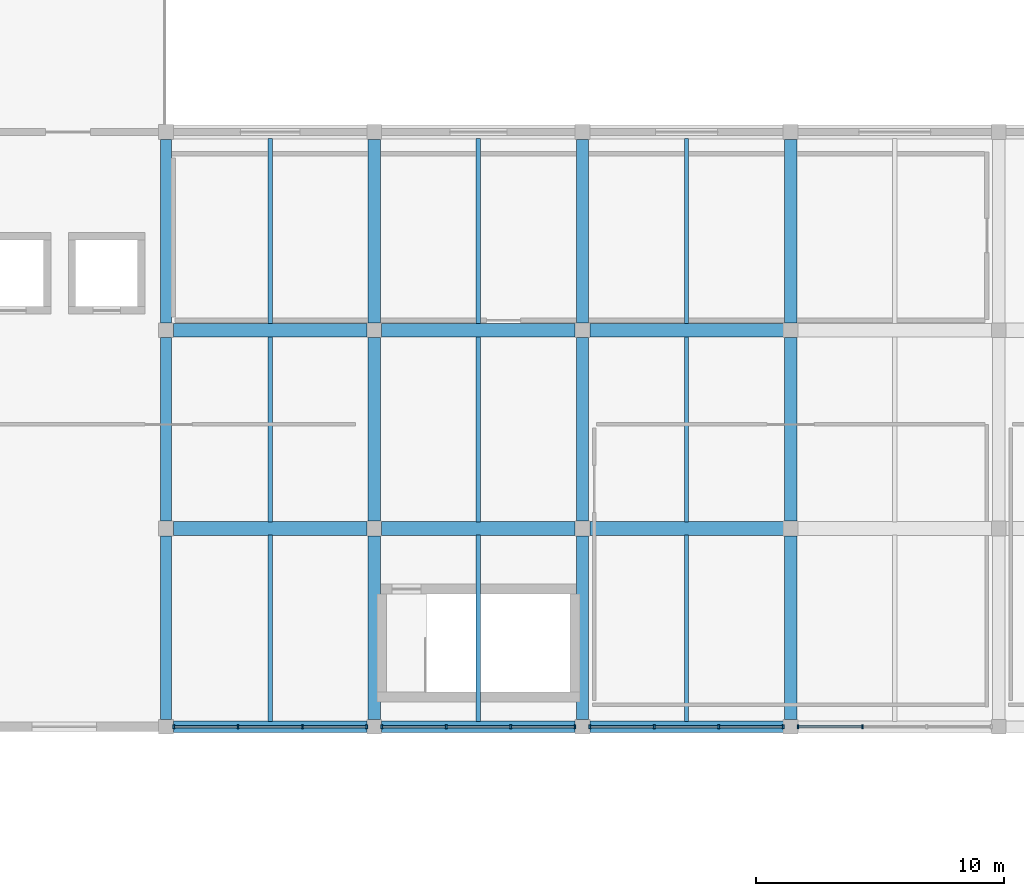
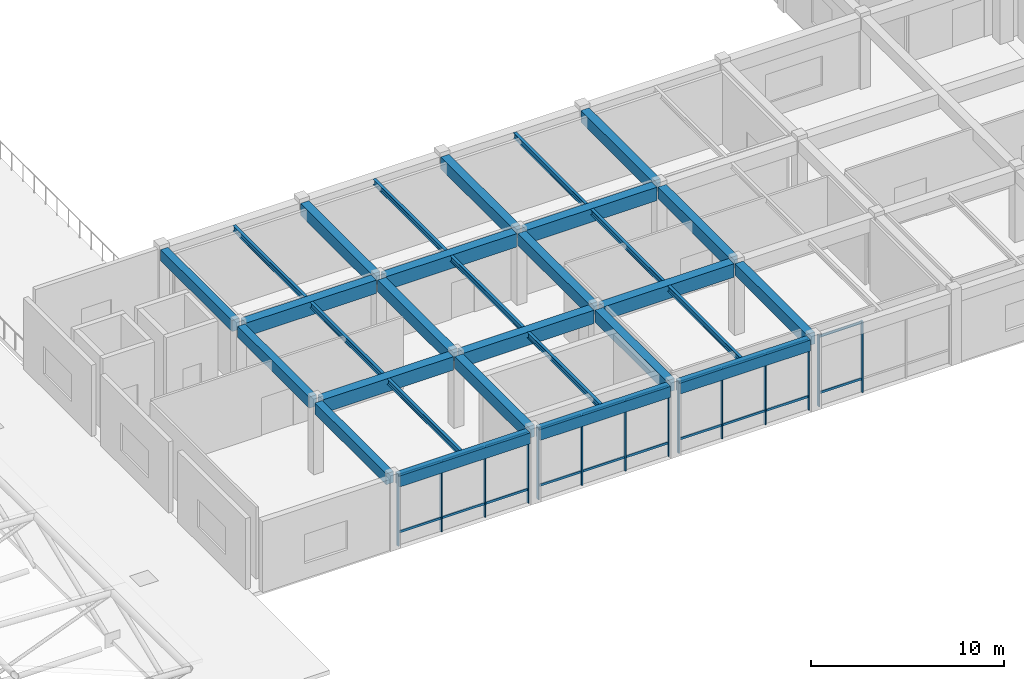
# One storey, part 10 of 37: 34 members, 30 beams, 4 elements without a shape of their own.
"""IFC4 building model written with IfcOpenShell, lengths in metres."""

from ifc_helpers import new_model, si_unit, direction, frame, origin, origin_2d, place, context, subcontext, project, spatial, rectangle, i_section, extrude, material, layer, layer_set, material_profile, profile_set, type_object, element, aggregate, save


model = new_model("IFC4")

# Units and contexts
model_context = context("Model", 3, precision=1e-05, world=origin(), true_north=direction((0.0, 1.0)))
body_context = subcontext(model_context, "Body", "Model", "MODEL_VIEW")
ifc_project = project(units=[si_unit("LENGTHUNIT", "METRE"), si_unit("AREAUNIT", "SQUARE_METRE"), si_unit("VOLUMEUNIT", "CUBIC_METRE"), si_unit("PLANEANGLEUNIT", "RADIAN"), si_unit("MASSUNIT", "GRAM", prefix="KILO")], contexts=[model_context])

# Site, building, storey
site_placement = place(None, origin())
site = spatial("IfcSite", under=ifc_project, at=site_placement, CompositionType="ELEMENT")
building_placement = place(site_placement, origin())
building = spatial("IfcBuilding", under=site, at=building_placement, Name="Naruveol Harbour Congress Hotel", CompositionType="ELEMENT")
storey_placement = place(building_placement, frame((0.0, 0.0, 16.199951171875)))
storey = spatial("IfcBuildingStorey", under=building, at=storey_placement, Name="L03", CompositionType="ELEMENT", Elevation=16.199951171875)

# Beams
ifc_material_1 = material(Name="Concrete C40/50", Category="concrete")
ifc_material_profile_1 = material_profile(ifc_material_1, rectangle(XDim=0.5, YDim=0.75, at=origin_2d()), Name="RCB-500x750")
ifc_profile_set_1 = profile_set([ifc_material_profile_1], Name="Concrete C40/50")
beam_type_1 = type_object("IfcBeamType", Name="RC FLOOR GIRDER 500X750", PredefinedType="BEAM", material=ifc_profile_set_1)
for number, where, z_axis, x_axis, name in (
    (1, (75.60009765625, 8.2958984375, 4.1650390625), (0.0, 1.0, 0.0), (-1.0, 0.0, 0.0), "Transverse girder L04 CB3"),
    (2, (75.60009765625, 16.2958984375, 4.1650390625), (0.0, 1.0, 0.0), (-1.0, 0.0, 0.0), "Transverse girder L04 CB3"),
    (3, (75.60009765625, 24.2958984375, 4.1650390625), (0.0, 1.0, 0.0), (-1.0, 0.0, 0.0), "Transverse girder L04 CB3"),
    (4, (84.0, 8.2958984375, 4.1650390625), (0.0, 1.0, 0.0), (-1.0, 0.0, 0.0), "Transverse girder L04 CB3"),
    (5, (84.0, 16.2958984375, 4.1650390625), (0.0, 1.0, 0.0), (-1.0, 0.0, 0.0), "Transverse girder L04 CB3"),
    (6, (84.0, 24.2958984375, 4.1650390625), (0.0, 1.0, 0.0), (-1.0, 0.0, 0.0), "Transverse girder L04 CB3"),
    (7, (92.39990234375, 8.2958984375, 4.1650390625), (0.0, 1.0, 0.0), (-1.0, 0.0, 0.0), "Transverse girder L04 CB3"),
    (8, (92.39990234375, 16.2958984375, 4.1650390625), (0.0, 1.0, 0.0), (-1.0, 0.0, 0.0), "Transverse girder L04 CB3"),
    (9, (92.39990234375, 24.2958984375, 4.1650390625), (0.0, 1.0, 0.0), (-1.0, 0.0, 0.0), "Transverse girder L04 CB3"),
):
    element("IfcBeam", number, at=place(storey_placement, frame(where, z_axis=z_axis, x_axis=x_axis)), inside=storey, type_object=beam_type_1, Name=name, PredefinedType="BEAM", context=body_context, shape_type="SweptSolid", body=[
        extrude(rectangle(XDim=0.5, YDim=0.75, at=origin_2d()), origin(), (0.0, 0.0, 1.0), 7.408203125),
    ])
ifc_material_2 = material(Name="Concrete C40/50", Category="concrete")
ifc_material_profile_2 = material_profile(ifc_material_2, rectangle(XDim=0.550048828125, YDim=0.85009765625, at=origin_2d()), Name="RCB-550x850")
ifc_profile_set_2 = profile_set([ifc_material_profile_2], Name="Concrete C40/50")
beam_type_2 = type_object("IfcBeamType", Name="RC PRIMARY GIRDER 550X850", PredefinedType="BEAM", material=ifc_profile_set_2)
beam_1_placement = place(storey_placement, frame((67.49609375, 16.0, 4.114990234375), z_axis=(1.0, 0.0, 0.0), x_axis=(0.0, 1.0, 0.0)))
element("IfcBeam", 10, at=beam_1_placement, inside=storey, type_object=beam_type_2, Name="Floor girder L04 CB2", PredefinedType="BEAM", context=body_context, shape_type="SweptSolid", body=[
    extrude(rectangle(XDim=0.550048828125, YDim=0.85009765625, at=origin_2d()), origin(), (0.0, 0.0, 1.0), 7.807861328125),
])
for number, where, z_axis, x_axis, name in (
    (11, (75.89599609375, 16.0, 4.114990234375), (1.0, 0.0, 0.0), (0.0, 1.0, 0.0), "Floor girder L04 CB2"),
    (12, (84.2958984375, 16.0, 4.114990234375), (1.0, 0.0, 0.0), (0.0, 1.0, 0.0), "Floor girder L04 CB2"),
):
    element("IfcBeam", number, at=place(storey_placement, frame(where, z_axis=z_axis, x_axis=x_axis)), inside=storey, type_object=beam_type_2, Name=name, PredefinedType="BEAM", context=body_context, shape_type="SweptSolid", body=[
        extrude(rectangle(XDim=0.550048828125, YDim=0.85009765625, at=origin_2d()), origin(), (0.0, 0.0, 1.0), 7.80810546875),
    ])
beam_2_placement = place(storey_placement, frame((67.49609375, 24.0, 4.114990234375), z_axis=(1.0, 0.0, 0.0), x_axis=(0.0, 1.0, 0.0)))
element("IfcBeam", 13, at=beam_2_placement, inside=storey, type_object=beam_type_2, Name="Floor girder L04 CB2", PredefinedType="BEAM", context=body_context, shape_type="SweptSolid", body=[
    extrude(rectangle(XDim=0.550048828125, YDim=0.85009765625, at=origin_2d()), origin(), (0.0, 0.0, 1.0), 7.807861328125),
])
for number, where, z_axis, x_axis, name in (
    (14, (75.89599609375, 24.0, 4.114990234375), (1.0, 0.0, 0.0), (0.0, 1.0, 0.0), "Floor girder L04 CB2"),
    (15, (84.2958984375, 24.0, 4.114990234375), (1.0, 0.0, 0.0), (0.0, 1.0, 0.0), "Floor girder L04 CB2"),
):
    element("IfcBeam", number, at=place(storey_placement, frame(where, z_axis=z_axis, x_axis=x_axis)), inside=storey, type_object=beam_type_2, Name=name, PredefinedType="BEAM", context=body_context, shape_type="SweptSolid", body=[
        extrude(rectangle(XDim=0.550048828125, YDim=0.85009765625, at=origin_2d()), origin(), (0.0, 0.0, 1.0), 7.80810546875),
    ])
ifc_material_3 = material(Name="Concrete C40/50", Category="concrete")
ifc_material_profile_3 = material_profile(ifc_material_3, rectangle(XDim=0.449951171875, YDim=0.699951171875, at=origin_2d()), Name="RCB-450x700")
ifc_profile_set_3 = profile_set([ifc_material_profile_3], Name="Concrete C40/50")
beam_type_3 = type_object("IfcBeamType", Name="RC SPANDREL BEAM 450X700", PredefinedType="SPANDREL", material=ifc_profile_set_3)
beam_3_placement = place(storey_placement, frame((67.49609375, 8.0, 4.18994140625), z_axis=(1.0, 0.0, 0.0), x_axis=(0.0, 1.0, 0.0)))
element("IfcBeam", 16, at=beam_3_placement, inside=storey, type_object=beam_type_3, Name="Floor girder L04 SPB1", PredefinedType="SPANDREL", context=body_context, shape_type="SweptSolid", body=[
    extrude(rectangle(XDim=0.449951171875, YDim=0.699951171875, at=origin_2d()), origin(), (0.0, 0.0, 1.0), 7.807861328125),
])
for number, where, z_axis, x_axis, name in (
    (17, (75.89599609375, 8.0, 4.18994140625), (1.0, 0.0, 0.0), (0.0, 1.0, 0.0), "Floor girder L04 SPB1"),
    (18, (84.2958984375, 8.0, 4.18994140625), (1.0, 0.0, 0.0), (0.0, 1.0, 0.0), "Floor girder L04 SPB1"),
):
    element("IfcBeam", number, at=place(storey_placement, frame(where, z_axis=z_axis, x_axis=x_axis)), inside=storey, type_object=beam_type_3, Name=name, PredefinedType="SPANDREL", context=body_context, shape_type="SweptSolid", body=[
        extrude(rectangle(XDim=0.449951171875, YDim=0.699951171875, at=origin_2d()), origin(), (0.0, 0.0, 1.0), 7.80810546875),
    ])
for number, where, z_axis, x_axis, name in (
    (19, (67.199951171875, 8.2958984375, 4.18994140625), (0.0, 1.0, 0.0), (-1.0, 0.0, 0.0), "Transverse girder L04 SPB1"),
    (20, (67.199951171875, 16.2958984375, 4.18994140625), (0.0, 1.0, 0.0), (-1.0, 0.0, 0.0), "Transverse girder L04 SPB1"),
    (21, (67.199951171875, 24.2958984375, 4.18994140625), (0.0, 1.0, 0.0), (-1.0, 0.0, 0.0), "Transverse girder L04 SPB1"),
):
    element("IfcBeam", number, at=place(storey_placement, frame(where, z_axis=z_axis, x_axis=x_axis)), inside=storey, type_object=beam_type_3, Name=name, PredefinedType="SPANDREL", context=body_context, shape_type="SweptSolid", body=[
        extrude(rectangle(XDim=0.449951171875, YDim=0.699951171875, at=origin_2d()), origin(), (0.0, 0.0, 1.0), 7.408203125),
    ])
ifc_material_4 = material(Name="Steel SN490", Category="steel")
ifc_material_profile_4 = material_profile(ifc_material_4, i_section(OverallWidth=0.175048828125, OverallDepth=0.35009765625, WebThickness=0.007080078125, FlangeThickness=0.010986328125, at=origin_2d()), Name="H-350x175x7x11")
ifc_profile_set_4 = profile_set([ifc_material_profile_4], Name="Steel SN490")
beam_type_4 = type_object("IfcBeamType", Name="STEEL SECONDARY JOIST H350", PredefinedType="JOIST", material=ifc_profile_set_4)
for number, where, z_axis, x_axis, name in (
    (22, (71.39990234375, 8.220947265625, 4.364990234375), (0.0, 1.0, 0.0), (-1.0, 0.0, 0.0), "Secondary floor joist L04 SJ2"),
    (23, (79.800048828125, 8.220947265625, 4.364990234375), (0.0, 1.0, 0.0), (-1.0, 0.0, 0.0), "Secondary floor joist L04 SJ2"),
    (24, (88.199951171875, 8.220947265625, 4.364990234375), (0.0, 1.0, 0.0), (-1.0, 0.0, 0.0), "Secondary floor joist L04 SJ2"),
):
    element("IfcBeam", number, at=place(storey_placement, frame(where, z_axis=z_axis, x_axis=x_axis)), inside=storey, type_object=beam_type_4, Name=name, PredefinedType="JOIST", context=body_context, shape_type="SweptSolid", body=[
        extrude(i_section(OverallWidth=0.175048828125, OverallDepth=0.35009765625, WebThickness=0.007080078125, FlangeThickness=0.010986328125, at=origin_2d()), origin(), (0.0, 0.0, 1.0), 7.508056640625),
    ])
for number, where, z_axis, x_axis, name in (
    (25, (71.39990234375, 16.27099609375, 4.364990234375), (0.0, 1.0, 0.0), (-1.0, 0.0, 0.0), "Secondary floor joist L04 SJ2"),
    (26, (79.800048828125, 16.27099609375, 4.364990234375), (0.0, 1.0, 0.0), (-1.0, 0.0, 0.0), "Secondary floor joist L04 SJ2"),
    (27, (88.199951171875, 16.27099609375, 4.364990234375), (0.0, 1.0, 0.0), (-1.0, 0.0, 0.0), "Secondary floor joist L04 SJ2"),
    (28, (71.39990234375, 24.27099609375, 4.364990234375), (0.0, 1.0, 0.0), (-1.0, 0.0, 0.0), "Secondary floor joist L04 SJ2"),
    (29, (79.800048828125, 24.27099609375, 4.364990234375), (0.0, 1.0, 0.0), (-1.0, 0.0, 0.0), "Secondary floor joist L04 SJ2"),
    (30, (88.199951171875, 24.27099609375, 4.364990234375), (0.0, 1.0, 0.0), (-1.0, 0.0, 0.0), "Secondary floor joist L04 SJ2"),
):
    element("IfcBeam", number, at=place(storey_placement, frame(where, z_axis=z_axis, x_axis=x_axis)), inside=storey, type_object=beam_type_4, Name=name, PredefinedType="JOIST", context=body_context, shape_type="SweptSolid", body=[
        extrude(i_section(OverallWidth=0.175048828125, OverallDepth=0.35009765625, WebThickness=0.007080078125, FlangeThickness=0.010986328125, at=origin_2d()), origin(), (0.0, 0.0, 1.0), 7.4580078125),
    ])

# Curtain wall, members
ifc_material_5 = material(Name="Low-E Curtain Wall System", Category="glass")
ifc_layer = layer(ifc_material_5, 0.179931640625)
ifc_layer_set = layer_set([ifc_layer], Name="Low-E Curtain Wall System")
curtain_wall_type = type_object("IfcCurtainWallType", Name="UNITISED CURTAIN WALL CW-V4S-45 7800X4500", PredefinedType="USERDEFINED", material=ifc_layer_set)
curtain_wall_1_placement = place(storey_placement, origin())
curtain_wall_1 = element("IfcCurtainWall", 31, at=curtain_wall_1_placement, inside=storey, type_object=curtain_wall_type, Name="Unitised curtain wall CW-V4S-45 L03", ObjectType="UNITISED GLAZING", PredefinedType="USERDEFINED")
ifc_material_6 = material(Name="Anodised Aluminium 6063-T6", Category="aluminium")
ifc_material_profile_5 = material_profile(ifc_material_6, rectangle(XDim=0.074951171875, YDim=0.179931640625, at=origin_2d()), Name="ALU-75x180")
ifc_profile_set_5 = profile_set([ifc_material_profile_5], Name="Anodised Aluminium 6063-T6")
member_type_1 = type_object("IfcMemberType", Name="THERMAL ALUMINIUM MULLION 75X180", PredefinedType="MULLION", material=ifc_profile_set_5)
member_1_placement = place(storey_placement, frame((95.300048828125, 8.0, 0.0), z_axis=(0.0, 0.0, 1.0), x_axis=(1.0, 0.0, 0.0)))
member_1 = element("IfcMember", 32, at=member_1_placement, type_object=member_type_1, Name="Curtain wall mullion CW-L03-0122-M2", PredefinedType="MULLION", context=body_context, shape_type="SweptSolid", body=[
    extrude(rectangle(XDim=0.074951171875, YDim=0.179931640625, at=origin_2d()), origin(), (0.0, 0.0, 1.0), 4.5),
])
member_2_placement = place(storey_placement, frame((92.699951171875, 8.0, 0.0), z_axis=(0.0, 0.0, 1.0), x_axis=(1.0, 0.0, 0.0)))
member_2 = element("IfcMember", 33, at=member_2_placement, type_object=member_type_1, Name="Curtain wall mullion CW-L03-0122-M3", PredefinedType="MULLION", context=body_context, shape_type="SweptSolid", body=[
    extrude(rectangle(XDim=0.074951171875, YDim=0.179931640625, at=origin_2d()), origin(), (0.0, 0.0, 1.0), 4.5),
])

curtain_wall_2_placement = place(storey_placement, origin())
curtain_wall_2 = element("IfcCurtainWall", 34, at=curtain_wall_2_placement, inside=storey, type_object=curtain_wall_type, Name="Unitised curtain wall CW-V4S-45 L03", ObjectType="UNITISED GLAZING", PredefinedType="USERDEFINED")
member_3_placement = place(storey_placement, frame((92.10009765625, 8.0, 0.0), z_axis=(0.0, 0.0, 1.0), x_axis=(1.0, 0.0, 0.0)))
member_3 = element("IfcMember", 35, at=member_3_placement, type_object=member_type_1, Name="Curtain wall mullion CW-L03-0123-M0", PredefinedType="MULLION", context=body_context, shape_type="SweptSolid", body=[
    extrude(rectangle(XDim=0.074951171875, YDim=0.179931640625, at=origin_2d()), origin(), (0.0, 0.0, 1.0), 4.5),
])
member_4_placement = place(storey_placement, frame((89.5, 8.0, 0.0), z_axis=(0.0, 0.0, 1.0), x_axis=(1.0, 0.0, 0.0)))
member_4 = element("IfcMember", 36, at=member_4_placement, type_object=member_type_1, Name="Curtain wall mullion CW-L03-0123-M1", PredefinedType="MULLION", context=body_context, shape_type="SweptSolid", body=[
    extrude(rectangle(XDim=0.074951171875, YDim=0.179931640625, at=origin_2d()), origin(), (0.0, 0.0, 1.0), 4.5),
])
member_5_placement = place(storey_placement, frame((86.89990234375, 8.0, 0.0), z_axis=(0.0, 0.0, 1.0), x_axis=(1.0, 0.0, 0.0)))
member_5 = element("IfcMember", 37, at=member_5_placement, type_object=member_type_1, Name="Curtain wall mullion CW-L03-0123-M2", PredefinedType="MULLION", context=body_context, shape_type="SweptSolid", body=[
    extrude(rectangle(XDim=0.074951171875, YDim=0.179931640625, at=origin_2d()), origin(), (0.0, 0.0, 1.0), 4.5),
])
member_6_placement = place(storey_placement, frame((84.300048828125, 8.0, 0.0), z_axis=(0.0, 0.0, 1.0), x_axis=(1.0, 0.0, 0.0)))
member_6 = element("IfcMember", 38, at=member_6_placement, type_object=member_type_1, Name="Curtain wall mullion CW-L03-0123-M3", PredefinedType="MULLION", context=body_context, shape_type="SweptSolid", body=[
    extrude(rectangle(XDim=0.074951171875, YDim=0.179931640625, at=origin_2d()), origin(), (0.0, 0.0, 1.0), 4.5),
])

curtain_wall_3_placement = place(storey_placement, origin())
curtain_wall_3 = element("IfcCurtainWall", 39, at=curtain_wall_3_placement, inside=storey, type_object=curtain_wall_type, Name="Unitised curtain wall CW-V4S-45 L03", ObjectType="UNITISED GLAZING", PredefinedType="USERDEFINED")
member_7_placement = place(storey_placement, frame((83.699951171875, 8.0, 0.0), z_axis=(0.0, 0.0, 1.0), x_axis=(1.0, 0.0, 0.0)))
member_7 = element("IfcMember", 40, at=member_7_placement, type_object=member_type_1, Name="Curtain wall mullion CW-L03-0124-M0", PredefinedType="MULLION", context=body_context, shape_type="SweptSolid", body=[
    extrude(rectangle(XDim=0.074951171875, YDim=0.179931640625, at=origin_2d()), origin(), (0.0, 0.0, 1.0), 4.5),
])
member_8_placement = place(storey_placement, frame((81.10009765625, 8.0, 0.0), z_axis=(0.0, 0.0, 1.0), x_axis=(1.0, 0.0, 0.0)))
member_8 = element("IfcMember", 41, at=member_8_placement, type_object=member_type_1, Name="Curtain wall mullion CW-L03-0124-M1", PredefinedType="MULLION", context=body_context, shape_type="SweptSolid", body=[
    extrude(rectangle(XDim=0.074951171875, YDim=0.179931640625, at=origin_2d()), origin(), (0.0, 0.0, 1.0), 4.5),
])
member_9_placement = place(storey_placement, frame((78.5, 8.0, 0.0), z_axis=(0.0, 0.0, 1.0), x_axis=(1.0, 0.0, 0.0)))
member_9 = element("IfcMember", 42, at=member_9_placement, type_object=member_type_1, Name="Curtain wall mullion CW-L03-0124-M2", PredefinedType="MULLION", context=body_context, shape_type="SweptSolid", body=[
    extrude(rectangle(XDim=0.074951171875, YDim=0.179931640625, at=origin_2d()), origin(), (0.0, 0.0, 1.0), 4.5),
])
member_10_placement = place(storey_placement, frame((75.89990234375, 8.0, 0.0), z_axis=(0.0, 0.0, 1.0), x_axis=(1.0, 0.0, 0.0)))
member_10 = element("IfcMember", 43, at=member_10_placement, type_object=member_type_1, Name="Curtain wall mullion CW-L03-0124-M3", PredefinedType="MULLION", context=body_context, shape_type="SweptSolid", body=[
    extrude(rectangle(XDim=0.074951171875, YDim=0.179931640625, at=origin_2d()), origin(), (0.0, 0.0, 1.0), 4.5),
])

curtain_wall_4_placement = place(storey_placement, origin())
curtain_wall_4 = element("IfcCurtainWall", 44, at=curtain_wall_4_placement, inside=storey, type_object=curtain_wall_type, Name="Unitised curtain wall CW-V4S-45 L03", ObjectType="UNITISED GLAZING", PredefinedType="USERDEFINED")
member_11_placement = place(storey_placement, frame((75.300048828125, 8.0, 0.0), z_axis=(0.0, 0.0, 1.0), x_axis=(1.0, 0.0, 0.0)))
member_11 = element("IfcMember", 45, at=member_11_placement, type_object=member_type_1, Name="Curtain wall mullion CW-L03-0125-M0", PredefinedType="MULLION", context=body_context, shape_type="SweptSolid", body=[
    extrude(rectangle(XDim=0.074951171875, YDim=0.179931640625, at=origin_2d()), origin(), (0.0, 0.0, 1.0), 4.5),
])
member_12_placement = place(storey_placement, frame((72.699951171875, 8.0, 0.0), z_axis=(0.0, 0.0, 1.0), x_axis=(1.0, 0.0, 0.0)))
member_12 = element("IfcMember", 46, at=member_12_placement, type_object=member_type_1, Name="Curtain wall mullion CW-L03-0125-M1", PredefinedType="MULLION", context=body_context, shape_type="SweptSolid", body=[
    extrude(rectangle(XDim=0.074951171875, YDim=0.179931640625, at=origin_2d()), origin(), (0.0, 0.0, 1.0), 4.5),
])
member_13_placement = place(storey_placement, frame((70.10009765625, 8.0, 0.0), z_axis=(0.0, 0.0, 1.0), x_axis=(1.0, 0.0, 0.0)))
member_13 = element("IfcMember", 47, at=member_13_placement, type_object=member_type_1, Name="Curtain wall mullion CW-L03-0125-M2", PredefinedType="MULLION", context=body_context, shape_type="SweptSolid", body=[
    extrude(rectangle(XDim=0.074951171875, YDim=0.179931640625, at=origin_2d()), origin(), (0.0, 0.0, 1.0), 4.5),
])
member_14_placement = place(storey_placement, frame((67.5, 8.0, 0.0), z_axis=(0.0, 0.0, 1.0), x_axis=(1.0, 0.0, 0.0)))
member_14 = element("IfcMember", 48, at=member_14_placement, type_object=member_type_1, Name="Curtain wall mullion CW-L03-0125-M3", PredefinedType="MULLION", context=body_context, shape_type="SweptSolid", body=[
    extrude(rectangle(XDim=0.074951171875, YDim=0.179931640625, at=origin_2d()), origin(), (0.0, 0.0, 1.0), 4.5),
])

# Member
ifc_material_7 = material(Name="Anodised Aluminium 6063-T6", Category="aluminium")
ifc_material_profile_6 = material_profile(ifc_material_7, rectangle(XDim=0.074951171875, YDim=0.14990234375, at=origin_2d()), Name="ALU-75x150")
ifc_profile_set_6 = profile_set([ifc_material_profile_6], Name="Anodised Aluminium 6063-T6")
member_type_2 = type_object("IfcMemberType", Name="THERMAL ALUMINIUM TRANSOM 75X150", PredefinedType="USERDEFINED", material=ifc_profile_set_6)
member_15_placement = place(storey_placement, frame((95.260009765625, 8.0, 0.85009765625), z_axis=(-1.0, 0.0, 0.0), x_axis=(0.0, -1.0, 0.0)))
member_15 = element("IfcMember", 49, at=member_15_placement, type_object=member_type_2, Name="Curtain wall transom CW-L03-0122-T2.1", ObjectType="TRANSOM", PredefinedType="USERDEFINED", context=body_context, shape_type="SweptSolid", body=[
    extrude(rectangle(XDim=0.074951171875, YDim=0.14990234375, at=origin_2d()), origin(), (0.0, 0.0, 1.0), 2.52001953125),
])

member_16_placement = place(storey_placement, frame((95.260009765625, 8.0, 4.420166015625), z_axis=(-1.0, 0.0, 0.0), x_axis=(0.0, -1.0, 0.0)))
member_16 = element("IfcMember", 50, at=member_16_placement, type_object=member_type_2, Name="Curtain wall transom CW-L03-0122-T2.2", ObjectType="TRANSOM", PredefinedType="USERDEFINED", context=body_context, shape_type="SweptSolid", body=[
    extrude(rectangle(XDim=0.074951171875, YDim=0.14990234375, at=origin_2d()), origin(), (0.0, 0.0, 1.0), 2.52001953125),
])

aggregate(curtain_wall_1, [member_1, member_2, member_15, member_16])

member_17_placement = place(storey_placement, frame((92.06005859375, 8.0, 0.85009765625), z_axis=(-1.0, 0.0, 0.0), x_axis=(0.0, -1.0, 0.0)))
member_17 = element("IfcMember", 51, at=member_17_placement, type_object=member_type_2, Name="Curtain wall transom CW-L03-0123-T0.1", ObjectType="TRANSOM", PredefinedType="USERDEFINED", context=body_context, shape_type="SweptSolid", body=[
    extrude(rectangle(XDim=0.074951171875, YDim=0.14990234375, at=origin_2d()), origin(), (0.0, 0.0, 1.0), 2.52001953125),
])

member_18_placement = place(storey_placement, frame((92.06005859375, 8.0, 4.420166015625), z_axis=(-1.0, 0.0, 0.0), x_axis=(0.0, -1.0, 0.0)))
member_18 = element("IfcMember", 52, at=member_18_placement, type_object=member_type_2, Name="Curtain wall transom CW-L03-0123-T0.2", ObjectType="TRANSOM", PredefinedType="USERDEFINED", context=body_context, shape_type="SweptSolid", body=[
    extrude(rectangle(XDim=0.074951171875, YDim=0.14990234375, at=origin_2d()), origin(), (0.0, 0.0, 1.0), 2.52001953125),
])

member_19_placement = place(storey_placement, frame((89.4599609375, 8.0, 0.85009765625), z_axis=(-1.0, 0.0, 0.0), x_axis=(0.0, -1.0, 0.0)))
member_19 = element("IfcMember", 53, at=member_19_placement, type_object=member_type_2, Name="Curtain wall transom CW-L03-0123-T1.1", ObjectType="TRANSOM", PredefinedType="USERDEFINED", context=body_context, shape_type="SweptSolid", body=[
    extrude(rectangle(XDim=0.074951171875, YDim=0.14990234375, at=origin_2d()), origin(), (0.0, 0.0, 1.0), 2.52001953125),
])

member_20_placement = place(storey_placement, frame((89.4599609375, 8.0, 4.420166015625), z_axis=(-1.0, 0.0, 0.0), x_axis=(0.0, -1.0, 0.0)))
member_20 = element("IfcMember", 54, at=member_20_placement, type_object=member_type_2, Name="Curtain wall transom CW-L03-0123-T1.2", ObjectType="TRANSOM", PredefinedType="USERDEFINED", context=body_context, shape_type="SweptSolid", body=[
    extrude(rectangle(XDim=0.074951171875, YDim=0.14990234375, at=origin_2d()), origin(), (0.0, 0.0, 1.0), 2.52001953125),
])

member_21_placement = place(storey_placement, frame((86.860107421875, 8.0, 0.85009765625), z_axis=(-1.0, 0.0, 0.0), x_axis=(0.0, -1.0, 0.0)))
member_21 = element("IfcMember", 55, at=member_21_placement, type_object=member_type_2, Name="Curtain wall transom CW-L03-0123-T2.1", ObjectType="TRANSOM", PredefinedType="USERDEFINED", context=body_context, shape_type="SweptSolid", body=[
    extrude(rectangle(XDim=0.074951171875, YDim=0.14990234375, at=origin_2d()), origin(), (0.0, 0.0, 1.0), 2.52001953125),
])

member_22_placement = place(storey_placement, frame((86.860107421875, 8.0, 4.420166015625), z_axis=(-1.0, 0.0, 0.0), x_axis=(0.0, -1.0, 0.0)))
member_22 = element("IfcMember", 56, at=member_22_placement, type_object=member_type_2, Name="Curtain wall transom CW-L03-0123-T2.2", ObjectType="TRANSOM", PredefinedType="USERDEFINED", context=body_context, shape_type="SweptSolid", body=[
    extrude(rectangle(XDim=0.074951171875, YDim=0.14990234375, at=origin_2d()), origin(), (0.0, 0.0, 1.0), 2.52001953125),
])

aggregate(curtain_wall_2, [member_3, member_4, member_5, member_6, member_17, member_18, member_19, member_20, member_21, member_22])

member_23_placement = place(storey_placement, frame((83.659912109375, 8.0, 0.85009765625), z_axis=(-1.0, 0.0, 0.0), x_axis=(0.0, -1.0, 0.0)))
member_23 = element("IfcMember", 57, at=member_23_placement, type_object=member_type_2, Name="Curtain wall transom CW-L03-0124-T0.1", ObjectType="TRANSOM", PredefinedType="USERDEFINED", context=body_context, shape_type="SweptSolid", body=[
    extrude(rectangle(XDim=0.074951171875, YDim=0.14990234375, at=origin_2d()), origin(), (0.0, 0.0, 1.0), 2.52001953125),
])

member_24_placement = place(storey_placement, frame((83.659912109375, 8.0, 4.420166015625), z_axis=(-1.0, 0.0, 0.0), x_axis=(0.0, -1.0, 0.0)))
member_24 = element("IfcMember", 58, at=member_24_placement, type_object=member_type_2, Name="Curtain wall transom CW-L03-0124-T0.2", ObjectType="TRANSOM", PredefinedType="USERDEFINED", context=body_context, shape_type="SweptSolid", body=[
    extrude(rectangle(XDim=0.074951171875, YDim=0.14990234375, at=origin_2d()), origin(), (0.0, 0.0, 1.0), 2.52001953125),
])

member_25_placement = place(storey_placement, frame((81.06005859375, 8.0, 0.85009765625), z_axis=(-1.0, 0.0, 0.0), x_axis=(0.0, -1.0, 0.0)))
member_25 = element("IfcMember", 59, at=member_25_placement, type_object=member_type_2, Name="Curtain wall transom CW-L03-0124-T1.1", ObjectType="TRANSOM", PredefinedType="USERDEFINED", context=body_context, shape_type="SweptSolid", body=[
    extrude(rectangle(XDim=0.074951171875, YDim=0.14990234375, at=origin_2d()), origin(), (0.0, 0.0, 1.0), 2.52001953125),
])

member_26_placement = place(storey_placement, frame((81.06005859375, 8.0, 4.420166015625), z_axis=(-1.0, 0.0, 0.0), x_axis=(0.0, -1.0, 0.0)))
member_26 = element("IfcMember", 60, at=member_26_placement, type_object=member_type_2, Name="Curtain wall transom CW-L03-0124-T1.2", ObjectType="TRANSOM", PredefinedType="USERDEFINED", context=body_context, shape_type="SweptSolid", body=[
    extrude(rectangle(XDim=0.074951171875, YDim=0.14990234375, at=origin_2d()), origin(), (0.0, 0.0, 1.0), 2.52001953125),
])

member_27_placement = place(storey_placement, frame((78.4599609375, 8.0, 0.85009765625), z_axis=(-1.0, 0.0, 0.0), x_axis=(0.0, -1.0, 0.0)))
member_27 = element("IfcMember", 61, at=member_27_placement, type_object=member_type_2, Name="Curtain wall transom CW-L03-0124-T2.1", ObjectType="TRANSOM", PredefinedType="USERDEFINED", context=body_context, shape_type="SweptSolid", body=[
    extrude(rectangle(XDim=0.074951171875, YDim=0.14990234375, at=origin_2d()), origin(), (0.0, 0.0, 1.0), 2.52001953125),
])

member_28_placement = place(storey_placement, frame((78.4599609375, 8.0, 4.420166015625), z_axis=(-1.0, 0.0, 0.0), x_axis=(0.0, -1.0, 0.0)))
member_28 = element("IfcMember", 62, at=member_28_placement, type_object=member_type_2, Name="Curtain wall transom CW-L03-0124-T2.2", ObjectType="TRANSOM", PredefinedType="USERDEFINED", context=body_context, shape_type="SweptSolid", body=[
    extrude(rectangle(XDim=0.074951171875, YDim=0.14990234375, at=origin_2d()), origin(), (0.0, 0.0, 1.0), 2.52001953125),
])

aggregate(curtain_wall_3, [member_7, member_8, member_9, member_10, member_23, member_24, member_25, member_26, member_27, member_28])

member_29_placement = place(storey_placement, frame((75.260009765625, 8.0, 0.85009765625), z_axis=(-1.0, 0.0, 0.0), x_axis=(0.0, -1.0, 0.0)))
member_29 = element("IfcMember", 63, at=member_29_placement, type_object=member_type_2, Name="Curtain wall transom CW-L03-0125-T0.1", ObjectType="TRANSOM", PredefinedType="USERDEFINED", context=body_context, shape_type="SweptSolid", body=[
    extrude(rectangle(XDim=0.074951171875, YDim=0.14990234375, at=origin_2d()), origin(), (0.0, 0.0, 1.0), 2.52001953125),
])

member_30_placement = place(storey_placement, frame((75.260009765625, 8.0, 4.420166015625), z_axis=(-1.0, 0.0, 0.0), x_axis=(0.0, -1.0, 0.0)))
member_30 = element("IfcMember", 64, at=member_30_placement, type_object=member_type_2, Name="Curtain wall transom CW-L03-0125-T0.2", ObjectType="TRANSOM", PredefinedType="USERDEFINED", context=body_context, shape_type="SweptSolid", body=[
    extrude(rectangle(XDim=0.074951171875, YDim=0.14990234375, at=origin_2d()), origin(), (0.0, 0.0, 1.0), 2.52001953125),
])

member_31_placement = place(storey_placement, frame((72.659912109375, 8.0, 0.85009765625), z_axis=(-1.0, 0.0, 0.0), x_axis=(0.0, -1.0, 0.0)))
member_31 = element("IfcMember", 65, at=member_31_placement, type_object=member_type_2, Name="Curtain wall transom CW-L03-0125-T1.1", ObjectType="TRANSOM", PredefinedType="USERDEFINED", context=body_context, shape_type="SweptSolid", body=[
    extrude(rectangle(XDim=0.074951171875, YDim=0.14990234375, at=origin_2d()), origin(), (0.0, 0.0, 1.0), 2.52001953125),
])

member_32_placement = place(storey_placement, frame((72.659912109375, 8.0, 4.420166015625), z_axis=(-1.0, 0.0, 0.0), x_axis=(0.0, -1.0, 0.0)))
member_32 = element("IfcMember", 66, at=member_32_placement, type_object=member_type_2, Name="Curtain wall transom CW-L03-0125-T1.2", ObjectType="TRANSOM", PredefinedType="USERDEFINED", context=body_context, shape_type="SweptSolid", body=[
    extrude(rectangle(XDim=0.074951171875, YDim=0.14990234375, at=origin_2d()), origin(), (0.0, 0.0, 1.0), 2.52001953125),
])

member_33_placement = place(storey_placement, frame((70.06005859375, 8.0, 0.85009765625), z_axis=(-1.0, 0.0, 0.0), x_axis=(0.0, -1.0, 0.0)))
member_33 = element("IfcMember", 67, at=member_33_placement, type_object=member_type_2, Name="Curtain wall transom CW-L03-0125-T2.1", ObjectType="TRANSOM", PredefinedType="USERDEFINED", context=body_context, shape_type="SweptSolid", body=[
    extrude(rectangle(XDim=0.074951171875, YDim=0.14990234375, at=origin_2d()), origin(), (0.0, 0.0, 1.0), 2.52001953125),
])

member_34_placement = place(storey_placement, frame((70.06005859375, 8.0, 4.420166015625), z_axis=(-1.0, 0.0, 0.0), x_axis=(0.0, -1.0, 0.0)))
member_34 = element("IfcMember", 68, at=member_34_placement, type_object=member_type_2, Name="Curtain wall transom CW-L03-0125-T2.2", ObjectType="TRANSOM", PredefinedType="USERDEFINED", context=body_context, shape_type="SweptSolid", body=[
    extrude(rectangle(XDim=0.074951171875, YDim=0.14990234375, at=origin_2d()), origin(), (0.0, 0.0, 1.0), 2.52001953125),
])

aggregate(curtain_wall_4, [member_11, member_12, member_13, member_14, member_29, member_30, member_31, member_32, member_33, member_34])

save(model, "model.ifc")
